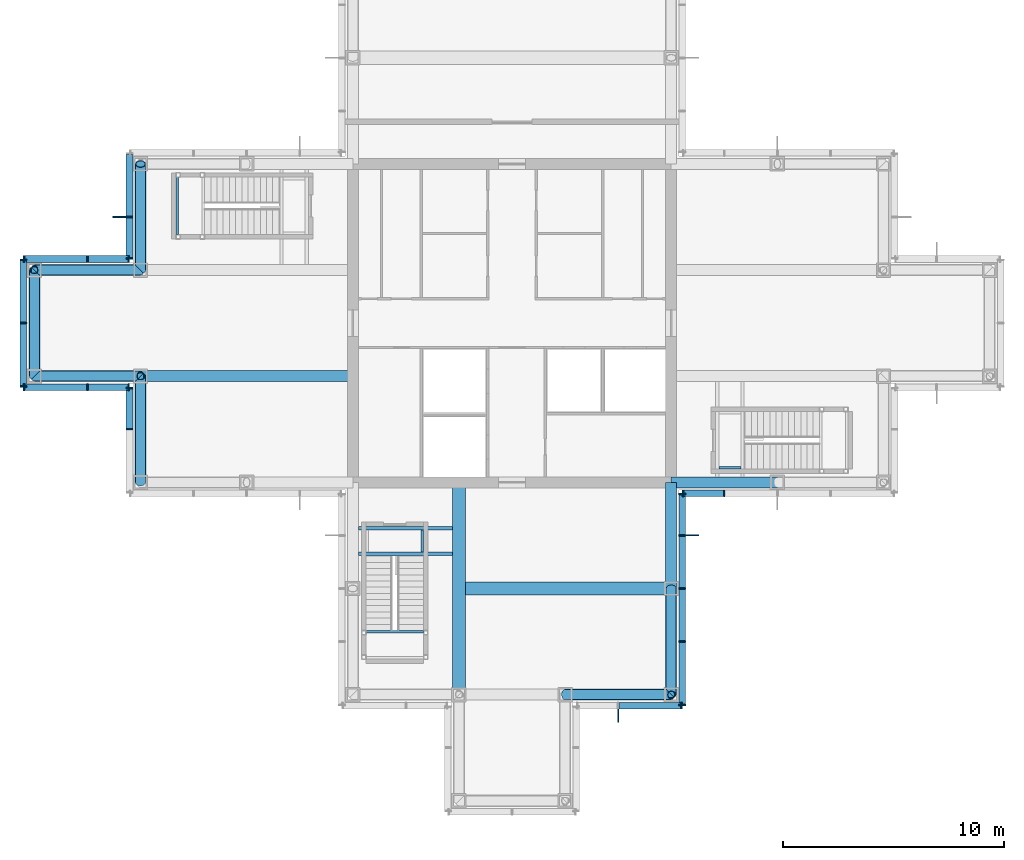
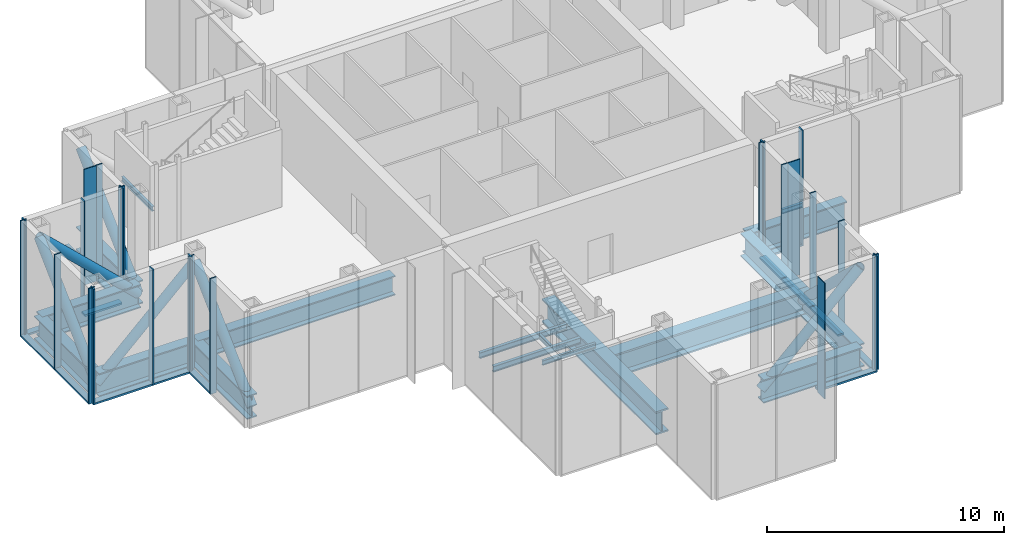
# One storey, part 6 of 13: 46 members, 18 beams, 8 elements without a shape of their own.
"""IFC4 building model written with IfcOpenShell, lengths in metres."""

from ifc_helpers import new_model, si_unit, direction, frame, origin, origin_2d, place, context, subcontext, project, spatial, rectangle, hollow_circle, i_section, extrude, material, material_profile, profile_set, type_object, element, aggregate, save


model = new_model("IFC4")

# Units and contexts
model_context = context("Model", 3, precision=1e-05, world=origin(), true_north=direction((0.0, 1.0)))
body_context = subcontext(model_context, "Body", "Model", "MODEL_VIEW")
ifc_project = project(units=[si_unit("LENGTHUNIT", "METRE"), si_unit("AREAUNIT", "SQUARE_METRE"), si_unit("VOLUMEUNIT", "CUBIC_METRE"), si_unit("PLANEANGLEUNIT", "RADIAN"), si_unit("MASSUNIT", "GRAM", prefix="KILO")], contexts=[model_context])

# Site, building, storey
site_placement = place(None, origin())
site = spatial("IfcSite", under=ifc_project, at=site_placement, CompositionType="ELEMENT")
building_placement = place(site_placement, origin())
building = spatial("IfcBuilding", under=site, at=building_placement, Name="Kvirike Care Tower", CompositionType="ELEMENT")
storey_placement = place(building_placement, frame((0.0, 0.0, 190.0)))
storey = spatial("IfcBuildingStorey", under=building, at=storey_placement, Name="L52", CompositionType="ELEMENT", Elevation=190.0)

# Members
ifc_material_1 = material(Name="Steel S355", Category="steel")
ifc_material_profile_1 = material_profile(ifc_material_1, hollow_circle(Radius=0.228515625, WallThickness=0.02490234375, at=origin_2d()), Name="CHS 457x25")
ifc_profile_set_1 = profile_set([ifc_material_profile_1], Name="Steel S355")
member_type_1 = type_object("IfcMemberType", Name="BELT TRUSS DIAGONAL CHS 457x25", PredefinedType="BRACE", material=ifc_profile_set_1)
for number, where, z_axis, x_axis, name in (
    (1, (4.800048828125, 38.39990234375, -0.85009765625), (0.0, 0.723490032929, 0.690334826191), (-1.0, 0.0, 0.0), "Belt truss diagonal K4-J4 L52"),
    (2, (4.800048828125, 38.39990234375, -0.85009765625), (-0.723490032929, 0.0, 0.690334826191), (0.0, -1.0, 0.0), "Belt truss diagonal J4-J3 L52"),
):
    element("IfcMember", number, at=place(storey_placement, frame(where, z_axis=z_axis, x_axis=x_axis)), inside=storey, type_object=member_type_1, Name=name, PredefinedType="BRACE", context=body_context, shape_type="SweptSolid", body=[
        extrude(hollow_circle(Radius=0.228515625, WallThickness=0.02490234375, at=origin_2d()), origin(), (0.0, 0.0, 1.0), 6.634521484375),
    ])
member_1_placement = place(storey_placement, frame((0.0, 33.60009765625, -0.85009765625), z_axis=(0.0, 0.723472495583, 0.690353205348), x_axis=(-1.0, 0.0, 0.0)))
element("IfcMember", 3, at=member_1_placement, inside=storey, type_object=member_type_1, Name="Belt truss diagonal J3-H3 L52", PredefinedType="BRACE", context=body_context, shape_type="SweptSolid", body=[
    extrude(hollow_circle(Radius=0.228515625, WallThickness=0.02490234375, at=origin_2d()), origin(), (0.0, 0.0, 1.0), 6.63427734375),
])
for number, where, z_axis, x_axis, name in (
    (4, (0.0, 33.60009765625, -0.85009765625), (0.723490032929, 0.0, 0.690334826191), (0.0, 1.0, 0.0), "Belt truss diagonal H3-H4 L52"),
    (5, (4.800048828125, 28.800048828125, -0.85009765625), (0.0, 0.723490032929, 0.690334826191), (-1.0, 0.0, 0.0), "Belt truss diagonal H4-G4 L52"),
    (6, (24.0, 19.199951171875, -0.85009765625), (0.723490032929, 0.0, 0.690334826191), (0.0, 1.0, 0.0), "Belt truss diagonal E8-E9 L52"),
    (7, (28.800048828125, 24.0, -0.85009765625), (0.0, -0.723490032929, 0.690334826191), (1.0, 0.0, 0.0), "Belt truss diagonal E9-F9 L52"),
):
    element("IfcMember", number, at=place(storey_placement, frame(where, z_axis=z_axis, x_axis=x_axis)), inside=storey, type_object=member_type_1, Name=name, PredefinedType="BRACE", context=body_context, shape_type="SweptSolid", body=[
        extrude(hollow_circle(Radius=0.228515625, WallThickness=0.02490234375, at=origin_2d()), origin(), (0.0, 0.0, 1.0), 6.634521484375),
    ])

# Curtain wall, member
ifc_material_2 = material(Name="Anodised aluminium stick system", Category="aluminium")
curtain_wall_type = type_object("IfcCurtainWallType", Name="CW-L LOUVRED PLANT SCREEN", PredefinedType="NOTDEFINED", material=ifc_material_2)
curtain_wall_1_placement = place(storey_placement, origin())
curtain_wall_1 = element("IfcCurtainWall", 8, at=curtain_wall_1_placement, inside=storey, type_object=curtain_wall_type, Name="Curtain wall L52 face 16", PredefinedType="NOTDEFINED")
ifc_material_3 = material(Name="Bronze anodised aluminium fin", Category="aluminium")
ifc_material_profile_2 = material_profile(ifc_material_3, rectangle(XDim=0.050048828125, YDim=0.60009765625, at=origin_2d()), Name="BRONZE FIN 600")
ifc_profile_set_2 = profile_set([ifc_material_profile_2], Name="Bronze anodised aluminium fin")
member_type_2 = type_object("IfcMemberType", Name="BRONZE FIN 600", PredefinedType="USERDEFINED", material=ifc_profile_set_2)
member_2_placement = place(storey_placement, frame((3.85009765625, 40.800048828125, -1.449951171875), z_axis=(0.0, 0.0, 1.0), x_axis=(0.0, -1.0, 0.0)))
member_2 = element("IfcMember", 9, at=member_2_placement, type_object=member_type_2, Name="Bronze fin L52 face 16.2", ObjectType="FIN", PredefinedType="USERDEFINED", context=body_context, shape_type="SweptSolid", body=[
    extrude(rectangle(XDim=0.050048828125, YDim=0.60009765625, at=origin_2d()), origin(), (0.0, 0.0, 1.0), 5.949951171875),
])

curtain_wall_2_placement = place(storey_placement, origin())
curtain_wall_2 = element("IfcCurtainWall", 10, at=curtain_wall_2_placement, inside=storey, type_object=curtain_wall_type, Name="Curtain wall L52 face 27", PredefinedType="NOTDEFINED")
member_3_placement = place(storey_placement, frame((26.39990234375, 18.25, -1.449951171875), z_axis=(0.0, 0.0, 1.0), x_axis=(1.0, 0.0, 0.0)))
member_3 = element("IfcMember", 11, at=member_3_placement, type_object=member_type_2, Name="Bronze fin L52 face 27.2", ObjectType="FIN", PredefinedType="USERDEFINED", context=body_context, shape_type="SweptSolid", body=[
    extrude(rectangle(XDim=0.050048828125, YDim=0.60009765625, at=origin_2d()), origin(), (0.0, 0.0, 1.0), 5.949951171875),
])

curtain_wall_3_placement = place(storey_placement, origin())
curtain_wall_3 = element("IfcCurtainWall", 12, at=curtain_wall_3_placement, inside=storey, type_object=curtain_wall_type, Name="Curtain wall L52 face 28", PredefinedType="NOTDEFINED")
member_4_placement = place(storey_placement, frame((29.75, 26.39990234375, -1.449951171875), z_axis=(0.0, 0.0, 1.0), x_axis=(0.0, 1.0, 0.0)))
member_4 = element("IfcMember", 13, at=member_4_placement, type_object=member_type_2, Name="Bronze fin L52 face 28.4", ObjectType="FIN", PredefinedType="USERDEFINED", context=body_context, shape_type="SweptSolid", body=[
    extrude(rectangle(XDim=0.050048828125, YDim=0.60009765625, at=origin_2d()), origin(), (0.0, 0.0, 1.0), 5.949951171875),
])

# Curtain wall, members
curtain_wall_4_placement = place(storey_placement, origin())
curtain_wall_4 = element("IfcCurtainWall", 14, at=curtain_wall_4_placement, inside=storey, type_object=curtain_wall_type, Name="Curtain wall L52 face 1", PredefinedType="NOTDEFINED")
ifc_material_4 = material(Name="Bronze anodised aluminium mullion", Category="aluminium")
ifc_material_profile_3 = material_profile(ifc_material_4, rectangle(XDim=0.06494140625, YDim=0.300048828125, at=origin_2d()), Name="CW-L MULLION 65x300")
ifc_profile_set_3 = profile_set([ifc_material_profile_3], Name="Bronze anodised aluminium mullion")
member_type_3 = type_object("IfcMemberType", Name="CW-L MULLION 65x300", PredefinedType="MULLION", material=ifc_profile_set_3)
member_5_placement = place(storey_placement, frame((29.33251953125, 28.300048828125, -1.449951171875), z_axis=(0.0, 0.0, 1.0), x_axis=(1.0, 0.0, 0.0)))
member_5 = element("IfcMember", 15, at=member_5_placement, type_object=member_type_3, Name="CW-L mullion L52 face 1.1", PredefinedType="MULLION", context=body_context, shape_type="SweptSolid", body=[
    extrude(rectangle(XDim=0.06494140625, YDim=0.300048828125, at=origin_2d()), origin(), (0.0, 0.0, 1.0), 5.949951171875),
])
member_6_placement = place(storey_placement, frame((31.199951171875, 28.300048828125, -1.449951171875), z_axis=(0.0, 0.0, 1.0), x_axis=(1.0, 0.0, 0.0)))
member_6 = element("IfcMember", 16, at=member_6_placement, type_object=member_type_3, Name="CW-L mullion L52 face 1.2", PredefinedType="MULLION", context=body_context, shape_type="SweptSolid", body=[
    extrude(rectangle(XDim=0.06494140625, YDim=0.300048828125, at=origin_2d()), origin(), (0.0, 0.0, 1.0), 5.949951171875),
])

# Member
member_7_placement = place(storey_placement, frame((4.300048828125, 40.800048828125, -1.449951171875), z_axis=(0.0, 0.0, 1.0), x_axis=(0.0, -1.0, 0.0)))
member_7 = element("IfcMember", 17, at=member_7_placement, type_object=member_type_3, Name="CW-L mullion L52 face 16.2", PredefinedType="MULLION", context=body_context, shape_type="SweptSolid", body=[
    extrude(rectangle(XDim=0.06494140625, YDim=0.300048828125, at=origin_2d()), origin(), (0.0, 0.0, 1.0), 5.949951171875),
])

member_8_placement = place(storey_placement, frame((4.300048828125, 38.9326171875, -1.449951171875), z_axis=(0.0, 0.0, 1.0), x_axis=(0.0, -1.0, 0.0)))
member_8 = element("IfcMember", 18, at=member_8_placement, type_object=member_type_3, Name="CW-L mullion L52 face 16.3", PredefinedType="MULLION", context=body_context, shape_type="SweptSolid", body=[
    extrude(rectangle(XDim=0.06494140625, YDim=0.300048828125, at=origin_2d()), origin(), (0.0, 0.0, 1.0), 5.949951171875),
])

# Curtain wall, members
curtain_wall_5_placement = place(storey_placement, origin())
curtain_wall_5 = element("IfcCurtainWall", 19, at=curtain_wall_5_placement, inside=storey, type_object=curtain_wall_type, Name="Curtain wall L52 face 17", PredefinedType="NOTDEFINED")
member_9_placement = place(storey_placement, frame((4.267578125, 38.89990234375, -1.449951171875), z_axis=(0.0, 0.0, 1.0), x_axis=(-1.0, 0.0, 0.0)))
member_9 = element("IfcMember", 20, at=member_9_placement, type_object=member_type_3, Name="CW-L mullion L52 face 17.1", PredefinedType="MULLION", context=body_context, shape_type="SweptSolid", body=[
    extrude(rectangle(XDim=0.06494140625, YDim=0.300048828125, at=origin_2d()), origin(), (0.0, 0.0, 1.0), 5.949951171875),
])
member_10_placement = place(storey_placement, frame((2.39990234375, 38.89990234375, -1.449951171875), z_axis=(0.0, 0.0, 1.0), x_axis=(-1.0, 0.0, 0.0)))
member_10 = element("IfcMember", 21, at=member_10_placement, type_object=member_type_3, Name="CW-L mullion L52 face 17.2", PredefinedType="MULLION", context=body_context, shape_type="SweptSolid", body=[
    extrude(rectangle(XDim=0.06494140625, YDim=0.300048828125, at=origin_2d()), origin(), (0.0, 0.0, 1.0), 5.949951171875),
])
member_11_placement = place(storey_placement, frame((-0.467529296875, 38.89990234375, -1.449951171875), z_axis=(0.0, 0.0, 1.0), x_axis=(-1.0, 0.0, 0.0)))
member_11 = element("IfcMember", 22, at=member_11_placement, type_object=member_type_3, Name="CW-L mullion L52 face 17.3", PredefinedType="MULLION", context=body_context, shape_type="SweptSolid", body=[
    extrude(rectangle(XDim=0.06494140625, YDim=0.300048828125, at=origin_2d()), origin(), (0.0, 0.0, 1.0), 5.949951171875),
])

curtain_wall_6_placement = place(storey_placement, origin())
curtain_wall_6 = element("IfcCurtainWall", 23, at=curtain_wall_6_placement, inside=storey, type_object=curtain_wall_type, Name="Curtain wall L52 face 18", PredefinedType="NOTDEFINED")
member_12_placement = place(storey_placement, frame((-0.5, 38.867431640625, -1.449951171875), z_axis=(0.0, 0.0, 1.0), x_axis=(0.0, -1.0, 0.0)))
member_12 = element("IfcMember", 24, at=member_12_placement, type_object=member_type_3, Name="CW-L mullion L52 face 18.1", PredefinedType="MULLION", context=body_context, shape_type="SweptSolid", body=[
    extrude(rectangle(XDim=0.06494140625, YDim=0.300048828125, at=origin_2d()), origin(), (0.0, 0.0, 1.0), 5.949951171875),
])
member_13_placement = place(storey_placement, frame((-0.5, 36.0, -1.449951171875), z_axis=(0.0, 0.0, 1.0), x_axis=(0.0, -1.0, 0.0)))
member_13 = element("IfcMember", 25, at=member_13_placement, type_object=member_type_3, Name="CW-L mullion L52 face 18.2", PredefinedType="MULLION", context=body_context, shape_type="SweptSolid", body=[
    extrude(rectangle(XDim=0.06494140625, YDim=0.300048828125, at=origin_2d()), origin(), (0.0, 0.0, 1.0), 5.949951171875),
])
member_14_placement = place(storey_placement, frame((-0.5, 33.132568359375, -1.449951171875), z_axis=(0.0, 0.0, 1.0), x_axis=(0.0, -1.0, 0.0)))
member_14 = element("IfcMember", 26, at=member_14_placement, type_object=member_type_3, Name="CW-L mullion L52 face 18.3", PredefinedType="MULLION", context=body_context, shape_type="SweptSolid", body=[
    extrude(rectangle(XDim=0.06494140625, YDim=0.300048828125, at=origin_2d()), origin(), (0.0, 0.0, 1.0), 5.949951171875),
])

curtain_wall_7_placement = place(storey_placement, origin())
curtain_wall_7 = element("IfcCurtainWall", 27, at=curtain_wall_7_placement, inside=storey, type_object=curtain_wall_type, Name="Curtain wall L52 face 19", PredefinedType="NOTDEFINED")
member_15_placement = place(storey_placement, frame((-0.467529296875, 33.10009765625, -1.449951171875), z_axis=(0.0, 0.0, 1.0), x_axis=(1.0, 0.0, 0.0)))
member_15 = element("IfcMember", 28, at=member_15_placement, type_object=member_type_3, Name="CW-L mullion L52 face 19.1", PredefinedType="MULLION", context=body_context, shape_type="SweptSolid", body=[
    extrude(rectangle(XDim=0.06494140625, YDim=0.300048828125, at=origin_2d()), origin(), (0.0, 0.0, 1.0), 5.949951171875),
])
member_16_placement = place(storey_placement, frame((2.39990234375, 33.10009765625, -1.449951171875), z_axis=(0.0, 0.0, 1.0), x_axis=(1.0, 0.0, 0.0)))
member_16 = element("IfcMember", 29, at=member_16_placement, type_object=member_type_3, Name="CW-L mullion L52 face 19.2", PredefinedType="MULLION", context=body_context, shape_type="SweptSolid", body=[
    extrude(rectangle(XDim=0.06494140625, YDim=0.300048828125, at=origin_2d()), origin(), (0.0, 0.0, 1.0), 5.949951171875),
])
member_17_placement = place(storey_placement, frame((4.267578125, 33.10009765625, -1.449951171875), z_axis=(0.0, 0.0, 1.0), x_axis=(1.0, 0.0, 0.0)))
member_17 = element("IfcMember", 30, at=member_17_placement, type_object=member_type_3, Name="CW-L mullion L52 face 19.3", PredefinedType="MULLION", context=body_context, shape_type="SweptSolid", body=[
    extrude(rectangle(XDim=0.06494140625, YDim=0.300048828125, at=origin_2d()), origin(), (0.0, 0.0, 1.0), 5.949951171875),
])

curtain_wall_8_placement = place(storey_placement, origin())
curtain_wall_8 = element("IfcCurtainWall", 31, at=curtain_wall_8_placement, inside=storey, type_object=curtain_wall_type, Name="Curtain wall L52 face 20", PredefinedType="NOTDEFINED")
member_18_placement = place(storey_placement, frame((4.300048828125, 33.0673828125, -1.449951171875), z_axis=(0.0, 0.0, 1.0), x_axis=(0.0, -1.0, 0.0)))
member_18 = element("IfcMember", 32, at=member_18_placement, type_object=member_type_3, Name="CW-L mullion L52 face 20.1", PredefinedType="MULLION", context=body_context, shape_type="SweptSolid", body=[
    extrude(rectangle(XDim=0.06494140625, YDim=0.300048828125, at=origin_2d()), origin(), (0.0, 0.0, 1.0), 5.949951171875),
])
member_19_placement = place(storey_placement, frame((4.300048828125, 31.199951171875, -1.449951171875), z_axis=(0.0, 0.0, 1.0), x_axis=(0.0, -1.0, 0.0)))
member_19 = element("IfcMember", 33, at=member_19_placement, type_object=member_type_3, Name="CW-L mullion L52 face 20.2", PredefinedType="MULLION", context=body_context, shape_type="SweptSolid", body=[
    extrude(rectangle(XDim=0.06494140625, YDim=0.300048828125, at=origin_2d()), origin(), (0.0, 0.0, 1.0), 5.949951171875),
])

# Member
member_20_placement = place(storey_placement, frame((29.267578125, 18.699951171875, -1.449951171875), z_axis=(0.0, 0.0, 1.0), x_axis=(1.0, 0.0, 0.0)))
member_20 = element("IfcMember", 34, at=member_20_placement, type_object=member_type_3, Name="CW-L mullion L52 face 27.3", PredefinedType="MULLION", context=body_context, shape_type="SweptSolid", body=[
    extrude(rectangle(XDim=0.06494140625, YDim=0.300048828125, at=origin_2d()), origin(), (0.0, 0.0, 1.0), 5.949951171875),
])

member_21_placement = place(storey_placement, frame((29.300048828125, 18.732421875, -1.449951171875), z_axis=(0.0, 0.0, 1.0), x_axis=(0.0, 1.0, 0.0)))
member_21 = element("IfcMember", 35, at=member_21_placement, type_object=member_type_3, Name="CW-L mullion L52 face 28.1", PredefinedType="MULLION", context=body_context, shape_type="SweptSolid", body=[
    extrude(rectangle(XDim=0.06494140625, YDim=0.300048828125, at=origin_2d()), origin(), (0.0, 0.0, 1.0), 5.949951171875),
])

member_22_placement = place(storey_placement, frame((29.300048828125, 21.60009765625, -1.449951171875), z_axis=(0.0, 0.0, 1.0), x_axis=(0.0, 1.0, 0.0)))
member_22 = element("IfcMember", 36, at=member_22_placement, type_object=member_type_3, Name="CW-L mullion L52 face 28.2", PredefinedType="MULLION", context=body_context, shape_type="SweptSolid", body=[
    extrude(rectangle(XDim=0.06494140625, YDim=0.300048828125, at=origin_2d()), origin(), (0.0, 0.0, 1.0), 5.949951171875),
])

member_23_placement = place(storey_placement, frame((29.300048828125, 24.0, -1.449951171875), z_axis=(0.0, 0.0, 1.0), x_axis=(0.0, 1.0, 0.0)))
member_23 = element("IfcMember", 37, at=member_23_placement, type_object=member_type_3, Name="CW-L mullion L52 face 28.3", PredefinedType="MULLION", context=body_context, shape_type="SweptSolid", body=[
    extrude(rectangle(XDim=0.06494140625, YDim=0.300048828125, at=origin_2d()), origin(), (0.0, 0.0, 1.0), 5.949951171875),
])

member_24_placement = place(storey_placement, frame((29.300048828125, 26.39990234375, -1.449951171875), z_axis=(0.0, 0.0, 1.0), x_axis=(0.0, 1.0, 0.0)))
member_24 = element("IfcMember", 38, at=member_24_placement, type_object=member_type_3, Name="CW-L mullion L52 face 28.4", PredefinedType="MULLION", context=body_context, shape_type="SweptSolid", body=[
    extrude(rectangle(XDim=0.06494140625, YDim=0.300048828125, at=origin_2d()), origin(), (0.0, 0.0, 1.0), 5.949951171875),
])

member_25_placement = place(storey_placement, frame((29.300048828125, 28.267578125, -1.449951171875), z_axis=(0.0, 0.0, 1.0), x_axis=(0.0, 1.0, 0.0)))
member_25 = element("IfcMember", 39, at=member_25_placement, type_object=member_type_3, Name="CW-L mullion L52 face 28.5", PredefinedType="MULLION", context=body_context, shape_type="SweptSolid", body=[
    extrude(rectangle(XDim=0.06494140625, YDim=0.300048828125, at=origin_2d()), origin(), (0.0, 0.0, 1.0), 5.949951171875),
])

ifc_material_5 = material(Name="Bronze anodised aluminium transom", Category="aluminium")
ifc_material_profile_4 = material_profile(ifc_material_5, rectangle(XDim=0.300048828125, YDim=0.10009765625, at=origin_2d()), Name="CW-L TRANSOM 300x100")
ifc_profile_set_4 = profile_set([ifc_material_profile_4], Name="Bronze anodised aluminium transom")
member_type_4 = type_object("IfcMemberType", Name="CW-L TRANSOM 300x100", PredefinedType="USERDEFINED", material=ifc_profile_set_4)
member_26_placement = place(storey_placement, frame((29.364990234375, 28.300048828125, -1.39990234375), z_axis=(1.0, 0.0, 0.0), x_axis=(0.0, 1.0, 0.0)))
member_26 = element("IfcMember", 40, at=member_26_placement, type_object=member_type_4, Name="CW-L sill transom L52 face 1.1", ObjectType="TRANSOM", PredefinedType="USERDEFINED", context=body_context, shape_type="SweptSolid", body=[
    extrude(rectangle(XDim=0.300048828125, YDim=0.10009765625, at=origin_2d()), origin(), (0.0, 0.0, 1.0), 1.802490234375),
])

aggregate(curtain_wall_4, [member_5, member_6, member_26])

member_27_placement = place(storey_placement, frame((4.300048828125, 43.635009765625, -1.39990234375), z_axis=(0.0, -1.0, 0.0), x_axis=(1.0, 0.0, 0.0)))
member_27 = element("IfcMember", 41, at=member_27_placement, type_object=member_type_4, Name="CW-L sill transom L52 face 16.1", ObjectType="TRANSOM", PredefinedType="USERDEFINED", context=body_context, shape_type="SweptSolid", body=[
    extrude(rectangle(XDim=0.300048828125, YDim=0.10009765625, at=origin_2d()), origin(), (0.0, 0.0, 1.0), 2.802490234375),
])

member_28_placement = place(storey_placement, frame((4.300048828125, 40.767578125, -1.39990234375), z_axis=(0.0, -1.0, 0.0), x_axis=(1.0, 0.0, 0.0)))
member_28 = element("IfcMember", 42, at=member_28_placement, type_object=member_type_4, Name="CW-L sill transom L52 face 16.2", ObjectType="TRANSOM", PredefinedType="USERDEFINED", context=body_context, shape_type="SweptSolid", body=[
    extrude(rectangle(XDim=0.300048828125, YDim=0.10009765625, at=origin_2d()), origin(), (0.0, 0.0, 1.0), 1.802490234375),
])

aggregate(curtain_wall_1, [member_7, member_2, member_8, member_27, member_28])

member_29_placement = place(storey_placement, frame((4.235107421875, 38.89990234375, -1.39990234375), z_axis=(-1.0, 0.0, 0.0), x_axis=(0.0, -1.0, 0.0)))
member_29 = element("IfcMember", 43, at=member_29_placement, type_object=member_type_4, Name="CW-L sill transom L52 face 17.1", ObjectType="TRANSOM", PredefinedType="USERDEFINED", context=body_context, shape_type="SweptSolid", body=[
    extrude(rectangle(XDim=0.300048828125, YDim=0.10009765625, at=origin_2d()), origin(), (0.0, 0.0, 1.0), 1.802490234375),
])

member_30_placement = place(storey_placement, frame((2.367431640625, 38.89990234375, -1.39990234375), z_axis=(-1.0, 0.0, 0.0), x_axis=(0.0, -1.0, 0.0)))
member_30 = element("IfcMember", 44, at=member_30_placement, type_object=member_type_4, Name="CW-L sill transom L52 face 17.2", ObjectType="TRANSOM", PredefinedType="USERDEFINED", context=body_context, shape_type="SweptSolid", body=[
    extrude(rectangle(XDim=0.300048828125, YDim=0.10009765625, at=origin_2d()), origin(), (0.0, 0.0, 1.0), 2.802490234375),
])

aggregate(curtain_wall_5, [member_9, member_10, member_11, member_29, member_30])

member_31_placement = place(storey_placement, frame((-0.5, 38.8349609375, -1.39990234375), z_axis=(0.0, -1.0, 0.0), x_axis=(1.0, 0.0, 0.0)))
member_31 = element("IfcMember", 45, at=member_31_placement, type_object=member_type_4, Name="CW-L sill transom L52 face 18.1", ObjectType="TRANSOM", PredefinedType="USERDEFINED", context=body_context, shape_type="SweptSolid", body=[
    extrude(rectangle(XDim=0.300048828125, YDim=0.10009765625, at=origin_2d()), origin(), (0.0, 0.0, 1.0), 2.802490234375),
])

member_32_placement = place(storey_placement, frame((-0.5, 35.967529296875, -1.39990234375), z_axis=(0.0, -1.0, 0.0), x_axis=(1.0, 0.0, 0.0)))
member_32 = element("IfcMember", 46, at=member_32_placement, type_object=member_type_4, Name="CW-L sill transom L52 face 18.2", ObjectType="TRANSOM", PredefinedType="USERDEFINED", context=body_context, shape_type="SweptSolid", body=[
    extrude(rectangle(XDim=0.300048828125, YDim=0.10009765625, at=origin_2d()), origin(), (0.0, 0.0, 1.0), 2.802490234375),
])

aggregate(curtain_wall_6, [member_12, member_13, member_14, member_31, member_32])

member_33_placement = place(storey_placement, frame((-0.43505859375, 33.10009765625, -1.39990234375), z_axis=(1.0, 0.0, 0.0), x_axis=(0.0, 1.0, 0.0)))
member_33 = element("IfcMember", 47, at=member_33_placement, type_object=member_type_4, Name="CW-L sill transom L52 face 19.1", ObjectType="TRANSOM", PredefinedType="USERDEFINED", context=body_context, shape_type="SweptSolid", body=[
    extrude(rectangle(XDim=0.300048828125, YDim=0.10009765625, at=origin_2d()), origin(), (0.0, 0.0, 1.0), 2.802490234375),
])

member_34_placement = place(storey_placement, frame((2.4326171875, 33.10009765625, -1.39990234375), z_axis=(1.0, 0.0, 0.0), x_axis=(0.0, 1.0, 0.0)))
member_34 = element("IfcMember", 48, at=member_34_placement, type_object=member_type_4, Name="CW-L sill transom L52 face 19.2", ObjectType="TRANSOM", PredefinedType="USERDEFINED", context=body_context, shape_type="SweptSolid", body=[
    extrude(rectangle(XDim=0.300048828125, YDim=0.10009765625, at=origin_2d()), origin(), (0.0, 0.0, 1.0), 1.802490234375),
])

aggregate(curtain_wall_7, [member_15, member_16, member_17, member_33, member_34])

member_35_placement = place(storey_placement, frame((4.300048828125, 33.034912109375, -1.39990234375), z_axis=(0.0, -1.0, 0.0), x_axis=(1.0, 0.0, 0.0)))
member_35 = element("IfcMember", 49, at=member_35_placement, type_object=member_type_4, Name="CW-L sill transom L52 face 20.1", ObjectType="TRANSOM", PredefinedType="USERDEFINED", context=body_context, shape_type="SweptSolid", body=[
    extrude(rectangle(XDim=0.300048828125, YDim=0.10009765625, at=origin_2d()), origin(), (0.0, 0.0, 1.0), 1.802490234375),
])

aggregate(curtain_wall_8, [member_18, member_19, member_35])

member_36_placement = place(storey_placement, frame((26.4326171875, 18.699951171875, -1.39990234375), z_axis=(1.0, 0.0, 0.0), x_axis=(0.0, 1.0, 0.0)))
member_36 = element("IfcMember", 50, at=member_36_placement, type_object=member_type_4, Name="CW-L sill transom L52 face 27.2", ObjectType="TRANSOM", PredefinedType="USERDEFINED", context=body_context, shape_type="SweptSolid", body=[
    extrude(rectangle(XDim=0.300048828125, YDim=0.10009765625, at=origin_2d()), origin(), (0.0, 0.0, 1.0), 2.802490234375),
])

aggregate(curtain_wall_2, [member_3, member_20, member_36])

member_37_placement = place(storey_placement, frame((29.300048828125, 18.764892578125, -1.39990234375), z_axis=(0.0, 1.0, 0.0), x_axis=(-1.0, 0.0, 0.0)))
member_37 = element("IfcMember", 51, at=member_37_placement, type_object=member_type_4, Name="CW-L sill transom L52 face 28.1", ObjectType="TRANSOM", PredefinedType="USERDEFINED", context=body_context, shape_type="SweptSolid", body=[
    extrude(rectangle(XDim=0.300048828125, YDim=0.10009765625, at=origin_2d()), origin(), (0.0, 0.0, 1.0), 2.802490234375),
])

member_38_placement = place(storey_placement, frame((29.300048828125, 21.632568359375, -1.39990234375), z_axis=(0.0, 1.0, 0.0), x_axis=(-1.0, 0.0, 0.0)))
member_38 = element("IfcMember", 52, at=member_38_placement, type_object=member_type_4, Name="CW-L sill transom L52 face 28.2", ObjectType="TRANSOM", PredefinedType="USERDEFINED", context=body_context, shape_type="SweptSolid", body=[
    extrude(rectangle(XDim=0.300048828125, YDim=0.10009765625, at=origin_2d()), origin(), (0.0, 0.0, 1.0), 2.3349609375),
])

member_39_placement = place(storey_placement, frame((29.300048828125, 24.032470703125, -1.39990234375), z_axis=(0.0, 1.0, 0.0), x_axis=(-1.0, 0.0, 0.0)))
member_39 = element("IfcMember", 53, at=member_39_placement, type_object=member_type_4, Name="CW-L sill transom L52 face 28.3", ObjectType="TRANSOM", PredefinedType="USERDEFINED", context=body_context, shape_type="SweptSolid", body=[
    extrude(rectangle(XDim=0.300048828125, YDim=0.10009765625, at=origin_2d()), origin(), (0.0, 0.0, 1.0), 2.3349609375),
])

member_40_placement = place(storey_placement, frame((29.300048828125, 26.4326171875, -1.39990234375), z_axis=(0.0, 1.0, 0.0), x_axis=(-1.0, 0.0, 0.0)))
member_40 = element("IfcMember", 54, at=member_40_placement, type_object=member_type_4, Name="CW-L sill transom L52 face 28.4", ObjectType="TRANSOM", PredefinedType="USERDEFINED", context=body_context, shape_type="SweptSolid", body=[
    extrude(rectangle(XDim=0.300048828125, YDim=0.10009765625, at=origin_2d()), origin(), (0.0, 0.0, 1.0), 1.802490234375),
])

aggregate(curtain_wall_3, [member_21, member_22, member_23, member_24, member_4, member_25, member_37, member_38, member_39, member_40])

# Beams
ifc_material_6 = material(Name="Steel S355", Category="steel")
ifc_material_profile_5 = material_profile(ifc_material_6, i_section(OverallWidth=0.5, OverallDepth=1.0, WebThickness=0.030029296875, FlangeThickness=0.06005859375, at=origin_2d()), Name="PG 1000x500x30x60")
ifc_profile_set_5 = profile_set([ifc_material_profile_5], Name="Steel S355")
beam_type_1 = type_object("IfcBeamType", Name="PLANT FLOOR GIRDER PG 1000x500x30x60", PredefinedType="BEAM", material=ifc_profile_set_5)
beam_1_placement = place(storey_placement, frame((4.800048828125, 33.60009765625, -0.75), z_axis=(1.0, 0.0, 0.0), x_axis=(0.0, 1.0, 0.0)))
element("IfcBeam", 55, at=beam_1_placement, inside=storey, type_object=beam_type_1, Name="Plant Floor Girder H4-H6 L52", PredefinedType="BEAM", context=body_context, shape_type="SweptSolid", body=[
    extrude(i_section(OverallWidth=0.5, OverallDepth=1.0, WebThickness=0.030029296875, FlangeThickness=0.06005859375, at=origin_2d()), origin(), (0.0, 0.0, 1.0), 9.599853515625),
])
ifc_material_7 = material(Name="Steel S355", Category="steel")
ifc_material_profile_6 = material_profile(ifc_material_7, i_section(OverallWidth=0.60009765625, OverallDepth=1.199951171875, WebThickness=0.0400390625, FlangeThickness=0.080078125, at=origin_2d()), Name="PG 1200x600x40x80")
ifc_profile_set_6 = profile_set([ifc_material_profile_6], Name="Steel S355")
beam_type_2 = type_object("IfcBeamType", Name="PLANT FLOOR GIRDER PG 1200x600x40x80", PredefinedType="BEAM", material=ifc_profile_set_6)
for number, where, z_axis, x_axis, name in (
    (56, (19.199951171875, 24.0, -0.85009765625), (1.0, 0.0, 0.0), (0.0, 1.0, 0.0), "Plant Floor Girder F7-F9 L52"),
    (57, (19.199951171875, 19.199951171875, -0.85009765625), (0.0, 1.0, 0.0), (-1.0, 0.0, 0.0), "Plant Floor Girder E7-G7 L52"),
):
    element("IfcBeam", number, at=place(storey_placement, frame(where, z_axis=z_axis, x_axis=x_axis)), inside=storey, type_object=beam_type_2, Name=name, PredefinedType="BEAM", context=body_context, shape_type="SweptSolid", body=[
        extrude(i_section(OverallWidth=0.60009765625, OverallDepth=1.199951171875, WebThickness=0.0400390625, FlangeThickness=0.080078125, at=origin_2d()), origin(), (0.0, 0.0, 1.0), 9.60009765625),
    ])
ifc_material_8 = material(Name="Steel S355", Category="steel")
ifc_material_profile_7 = material_profile(ifc_material_8, i_section(OverallWidth=0.5, OverallDepth=1.199951171875, WebThickness=0.030029296875, FlangeThickness=0.06005859375, at=origin_2d()), Name="PG 1200x500x30x60")
ifc_profile_set_7 = profile_set([ifc_material_profile_7], Name="Steel S355")
beam_type_3 = type_object("IfcBeamType", Name="SPANDREL PG 1200x500x30x60", PredefinedType="SPANDREL", material=ifc_profile_set_7)
for number, where, z_axis, x_axis, name in (
    (58, (24.0, 19.199951171875, -0.85009765625), (1.0, 0.0, 0.0), (0.0, 1.0, 0.0), "Spandrel E8-E9 L52"),
    (59, (28.800048828125, 28.800048828125, -0.85009765625), (1.0, 0.0, 0.0), (0.0, 1.0, 0.0), "Spandrel G9-G10 L52"),
    (60, (0.0, 33.60009765625, -0.85009765625), (1.0, 0.0, 0.0), (0.0, 1.0, 0.0), "Spandrel H3-H4 L52"),
    (61, (0.0, 38.39990234375, -0.85009765625), (1.0, 0.0, 0.0), (0.0, 1.0, 0.0), "Spandrel J3-J4 L52"),
):
    element("IfcBeam", number, at=place(storey_placement, frame(where, z_axis=z_axis, x_axis=x_axis)), inside=storey, type_object=beam_type_3, Name=name, PredefinedType="SPANDREL", context=body_context, shape_type="SweptSolid", body=[
        extrude(i_section(OverallWidth=0.5, OverallDepth=1.199951171875, WebThickness=0.030029296875, FlangeThickness=0.06005859375, at=origin_2d()), origin(), (0.0, 0.0, 1.0), 4.800048828125),
    ])
beam_2_placement = place(storey_placement, frame((0.0, 33.60009765625, -0.85009765625), z_axis=(0.0, 1.0, 0.0), x_axis=(-1.0, 0.0, 0.0)))
element("IfcBeam", 62, at=beam_2_placement, inside=storey, type_object=beam_type_3, Name="Spandrel H3-J3 L52", PredefinedType="SPANDREL", context=body_context, shape_type="SweptSolid", body=[
    extrude(i_section(OverallWidth=0.5, OverallDepth=1.199951171875, WebThickness=0.030029296875, FlangeThickness=0.06005859375, at=origin_2d()), origin(), (0.0, 0.0, 1.0), 4.7998046875),
])
for number, where, z_axis, x_axis, name in (
    (63, (4.800048828125, 28.800048828125, -0.85009765625), (0.0, 1.0, 0.0), (-1.0, 0.0, 0.0), "Spandrel G4-H4 L52"),
    (64, (4.800048828125, 38.39990234375, -0.85009765625), (0.0, 1.0, 0.0), (-1.0, 0.0, 0.0), "Spandrel J4-K4 L52"),
    (65, (28.800048828125, 19.199951171875, -0.85009765625), (0.0, 1.0, 0.0), (-1.0, 0.0, 0.0), "Spandrel E9-F9 L52"),
    (66, (28.800048828125, 24.0, -0.85009765625), (0.0, 1.0, 0.0), (-1.0, 0.0, 0.0), "Spandrel F9-G9 L52"),
):
    element("IfcBeam", number, at=place(storey_placement, frame(where, z_axis=z_axis, x_axis=x_axis)), inside=storey, type_object=beam_type_3, Name=name, PredefinedType="SPANDREL", context=body_context, shape_type="SweptSolid", body=[
        extrude(i_section(OverallWidth=0.5, OverallDepth=1.199951171875, WebThickness=0.030029296875, FlangeThickness=0.06005859375, at=origin_2d()), origin(), (0.0, 0.0, 1.0), 4.800048828125),
    ])
ifc_material_9 = material(Name="Steel S355", Category="steel")
ifc_material_profile_8 = material_profile(ifc_material_9, i_section(OverallWidth=0.1201171875, OverallDepth=0.239990234375, WebThickness=0.006103515625, FlangeThickness=0.009765625, FilletRadius=0.014892578125, at=origin_2d()), Name="IPE 240")
ifc_profile_set_8 = profile_set([ifc_material_profile_8], Name="Steel S355")
beam_type_4 = type_object("IfcBeamType", Name="STAIR LANDING BEAM IPE 240", PredefinedType="BEAM", material=ifc_profile_set_8)
beam_3_placement = place(storey_placement, frame((6.4599609375, 42.60009765625, 1.929931640625), z_axis=(0.0, -1.0, 0.0), x_axis=(1.0, 0.0, 0.0)))
element("IfcBeam", 67, at=beam_3_placement, inside=storey, type_object=beam_type_4, Name="Stair 1 landing beam back L52", PredefinedType="BEAM", context=body_context, shape_type="SweptSolid", body=[
    extrude(i_section(OverallWidth=0.1201171875, OverallDepth=0.239990234375, WebThickness=0.006103515625, FlangeThickness=0.009765625, FilletRadius=0.014892578125, at=origin_2d()), origin(), (0.0, 0.0, 1.0), 2.60009765625),
])
beam_4_placement = place(storey_placement, frame((31.949951171875, 29.4599609375, -0.3701171875), z_axis=(-1.0, 0.0, 0.0), x_axis=(0.0, -1.0, 0.0)))
element("IfcBeam", 68, at=beam_4_placement, inside=storey, type_object=beam_type_4, Name="Stair 2 landing edge beam 1 L52", PredefinedType="BEAM", context=body_context, shape_type="SweptSolid", body=[
    extrude(i_section(OverallWidth=0.1201171875, OverallDepth=0.239990234375, WebThickness=0.006103515625, FlangeThickness=0.009765625, FilletRadius=0.014892578125, at=origin_2d()), origin(), (0.0, 0.0, 1.0), 1.0),
])
beam_5_placement = place(storey_placement, frame((15.0, 22.0400390625, 1.929931640625), z_axis=(1.0, 0.0, 0.0), x_axis=(0.0, 1.0, 0.0)))
element("IfcBeam", 69, at=beam_5_placement, inside=storey, type_object=beam_type_4, Name="Stair 5 landing beam front L52", PredefinedType="BEAM", context=body_context, shape_type="SweptSolid", body=[
    extrude(i_section(OverallWidth=0.1201171875, OverallDepth=0.239990234375, WebThickness=0.006103515625, FlangeThickness=0.009765625, FilletRadius=0.014892578125, at=origin_2d()), origin(), (0.0, 0.0, 1.0), 2.60009765625),
])
beam_6_placement = place(storey_placement, frame((17.5400390625, 25.64990234375, -0.3701171875), z_axis=(0.0, 1.0, 0.0), x_axis=(-1.0, 0.0, 0.0)))
element("IfcBeam", 70, at=beam_6_placement, inside=storey, type_object=beam_type_4, Name="Stair 5 landing edge beam 2 L52", PredefinedType="BEAM", context=body_context, shape_type="SweptSolid", body=[
    extrude(i_section(OverallWidth=0.1201171875, OverallDepth=0.239990234375, WebThickness=0.006103515625, FlangeThickness=0.009765625, FilletRadius=0.014892578125, at=origin_2d()), origin(), (0.0, 0.0, 1.0), 1.0),
])
ifc_material_10 = material(Name="Steel S355", Category="steel")
ifc_material_profile_9 = material_profile(ifc_material_10, i_section(OverallWidth=0.14990234375, OverallDepth=0.300048828125, WebThickness=0.007080078125, FlangeThickness=0.0107421875, FilletRadius=0.014892578125, at=origin_2d()), Name="IPE 300")
ifc_profile_set_9 = profile_set([ifc_material_profile_9], Name="Steel S355")
beam_type_5 = type_object("IfcBeamType", Name="STAIR TRIMMER IPE 300", PredefinedType="BEAM", material=ifc_profile_set_9)
for number, where, z_axis, x_axis, name in (
    (71, (14.64990234375, 25.574951171875, -0.39990234375), (1.0, 0.0, 0.0), (0.0, 1.0, 0.0), "Stair 5 trimmer 1 L52"),
    (72, (14.64990234375, 26.72509765625, -0.39990234375), (1.0, 0.0, 0.0), (0.0, 1.0, 0.0), "Stair 5 trimmer 2 L52"),
):
    element("IfcBeam", number, at=place(storey_placement, frame(where, z_axis=z_axis, x_axis=x_axis)), inside=storey, type_object=beam_type_5, Name=name, PredefinedType="BEAM", context=body_context, shape_type="SweptSolid", body=[
        extrude(i_section(OverallWidth=0.14990234375, OverallDepth=0.300048828125, WebThickness=0.007080078125, FlangeThickness=0.0107421875, FilletRadius=0.014892578125, at=origin_2d()), origin(), (0.0, 0.0, 1.0), 4.25),
    ])

save(model, "model.ifc")
